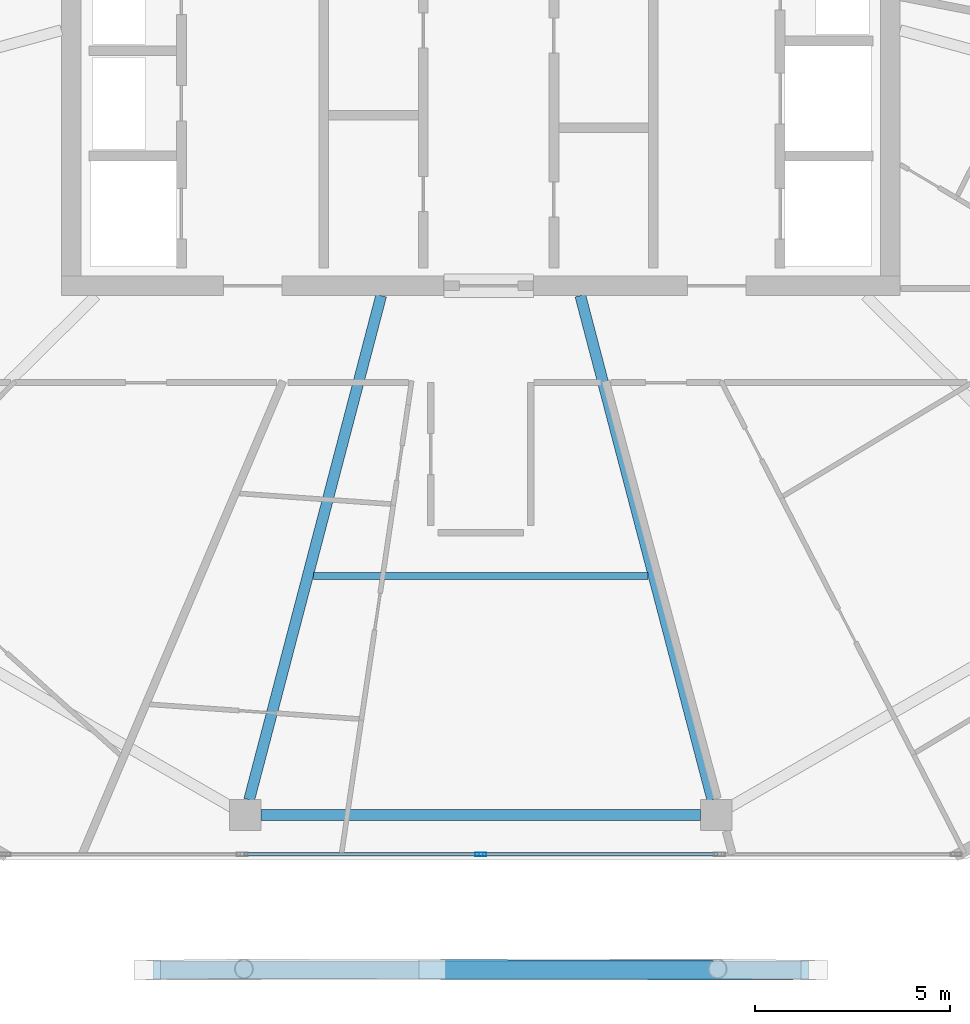
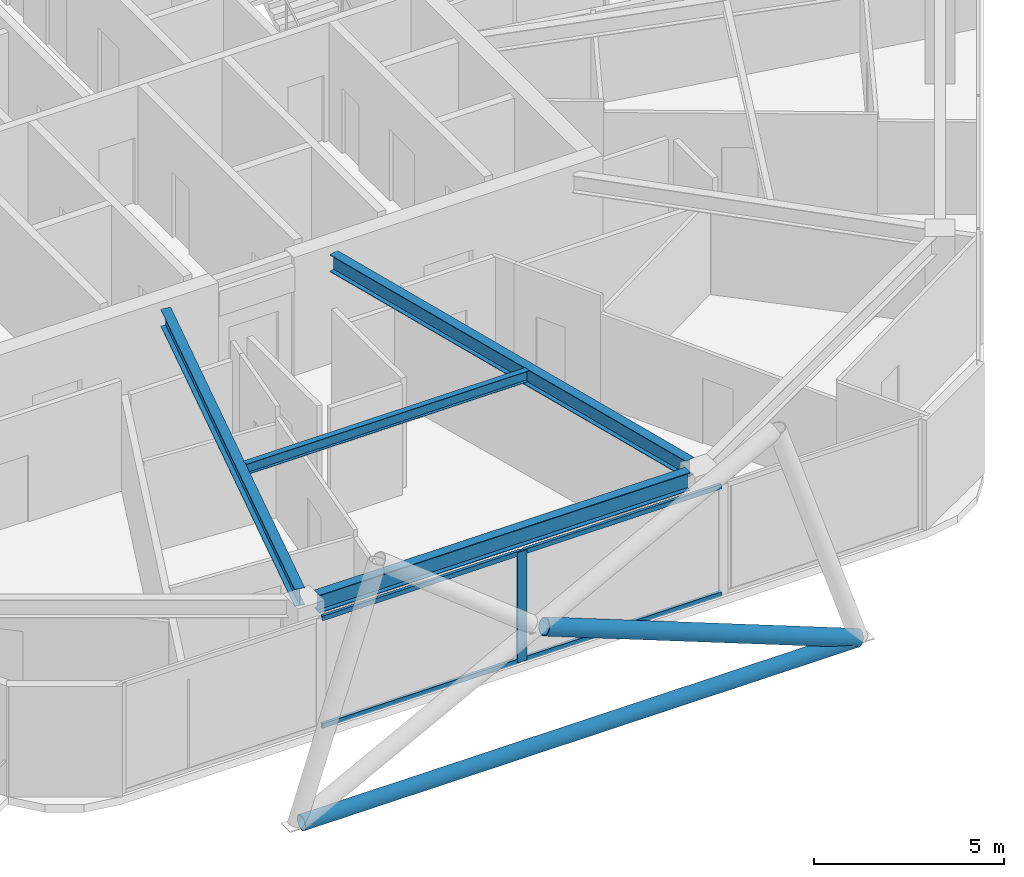
# One storey, part 4 of 23: 7 members, 4 beams, 1 element without a shape of its own.
"""IFC4 building model written with IfcOpenShell, lengths in metres."""

from ifc_helpers import new_model, si_unit, direction, frame, origin, origin_2d, place, context, subcontext, project, spatial, hollow_rectangle, hollow_circle, i_section, extrude, material, material_profile, profile_set, type_object, element, aggregate, save


model = new_model("IFC4")

# Units and contexts
model_context = context("Model", 3, precision=1e-05, world=origin(), true_north=direction((0.0, 1.0)))
body_context = subcontext(model_context, "Body", "Model", "MODEL_VIEW")
ifc_project = project(units=[si_unit("LENGTHUNIT", "METRE"), si_unit("AREAUNIT", "SQUARE_METRE"), si_unit("VOLUMEUNIT", "CUBIC_METRE"), si_unit("PLANEANGLEUNIT", "RADIAN"), si_unit("MASSUNIT", "GRAM", prefix="KILO")], contexts=[model_context])

# Site, building, storey
site_placement = place(None, origin())
site = spatial("IfcSite", under=ifc_project, at=site_placement, CompositionType="ELEMENT")
building_placement = place(site_placement, origin())
building = spatial("IfcBuilding", under=site, at=building_placement, Name="Zuhravey Tower", CompositionType="ELEMENT")
storey_placement = place(building_placement, frame((0.0, 0.0, 331.0)))
storey = spatial("IfcBuildingStorey", under=building, at=storey_placement, Name="L84", CompositionType="ELEMENT", Elevation=331.0)

# Curtain wall, members
ifc_material_1 = material(Name="Thermally broken anodised aluminium", Category="aluminium")
curtain_wall_type = type_object("IfcCurtainWallType", Name="Zone 3-4 High-Rise Curtain Wall CW4", PredefinedType="NOTDEFINED", material=ifc_material_1)
curtain_wall_placement = place(storey_placement, origin())
curtain_wall = element("IfcCurtainWall", 1, at=curtain_wall_placement, inside=storey, type_object=curtain_wall_type, Name="L84 CW4 CW-L84-F5-1", PredefinedType="NOTDEFINED")
ifc_material_2 = material(Name="Anodised aluminium", Category="aluminium")
ifc_material_profile_1 = material_profile(ifc_material_2, hollow_rectangle(XDim=0.090087890625, YDim=0.284912109375, WallThickness=0.0048828125, at=origin_2d()), Name="ALU-RHS-90x285x5")
ifc_profile_set_1 = profile_set([ifc_material_profile_1], Name="Anodised aluminium")
member_type_1 = type_object("IfcMemberType", Name="Curtain-Wall Mullion 90x180", PredefinedType="MULLION", material=ifc_profile_set_1)
member_1_placement = place(storey_placement, frame((36.0, 7.92578125, 0.0), z_axis=(0.0, 0.0, 1.0), x_axis=(0.0, -1.0, 0.0)))
member_1 = element("IfcMember", 2, at=member_1_placement, type_object=member_type_1, Name="CW4 mullion 3", PredefinedType="MULLION", context=body_context, shape_type="SweptSolid", body=[
    extrude(hollow_rectangle(XDim=0.090087890625, YDim=0.284912109375, WallThickness=0.0048828125, at=origin_2d()), origin(), (0.0, 0.0, 1.0), 3.550048828125),
])
ifc_material_profile_2 = material_profile(ifc_material_2, hollow_rectangle(XDim=0.090087890625, YDim=0.14990234375, WallThickness=0.0048828125, at=origin_2d()), Name="ALU-RHS-90x150x5")
ifc_profile_set_2 = profile_set([ifc_material_profile_2], Name="Anodised aluminium")
member_type_2 = type_object("IfcMemberType", Name="Curtain-Wall Transom 90x150", PredefinedType="USERDEFINED", material=ifc_profile_set_2)
member_2_placement = place(storey_placement, frame((42.07470703125, 7.92578125, 0.044921875), z_axis=(-1.0, 0.0, 0.0), x_axis=(0.0, -1.0, 0.0)))
member_2 = element("IfcMember", 3, at=member_2_placement, type_object=member_type_2, Name="CW4 transom 2.1", ObjectType="TRANSOM", PredefinedType="USERDEFINED", context=body_context, shape_type="SweptSolid", body=[
    extrude(hollow_rectangle(XDim=0.090087890625, YDim=0.14990234375, WallThickness=0.0048828125, at=origin_2d()), origin(), (0.0, 0.0, 1.0), 6.02978515625),
])
member_3_placement = place(storey_placement, frame((42.07470703125, 7.92578125, 3.5048828125), z_axis=(-1.0, 0.0, 0.0), x_axis=(0.0, -1.0, 0.0)))
member_3 = element("IfcMember", 4, at=member_3_placement, type_object=member_type_2, Name="CW4 transom 2.2", ObjectType="TRANSOM", PredefinedType="USERDEFINED", context=body_context, shape_type="SweptSolid", body=[
    extrude(hollow_rectangle(XDim=0.090087890625, YDim=0.14990234375, WallThickness=0.0048828125, at=origin_2d()), origin(), (0.0, 0.0, 1.0), 6.02978515625),
])
member_4_placement = place(storey_placement, frame((35.955078125, 7.92578125, 0.044921875), z_axis=(-1.0, 0.0, 0.0), x_axis=(0.0, -1.0, 0.0)))
member_4 = element("IfcMember", 5, at=member_4_placement, type_object=member_type_2, Name="CW4 transom 3.1", ObjectType="TRANSOM", PredefinedType="USERDEFINED", context=body_context, shape_type="SweptSolid", body=[
    extrude(hollow_rectangle(XDim=0.090087890625, YDim=0.14990234375, WallThickness=0.0048828125, at=origin_2d()), origin(), (0.0, 0.0, 1.0), 6.02978515625),
])
member_5_placement = place(storey_placement, frame((35.955078125, 7.92578125, 3.5048828125), z_axis=(-1.0, 0.0, 0.0), x_axis=(0.0, -1.0, 0.0)))
member_5 = element("IfcMember", 6, at=member_5_placement, type_object=member_type_2, Name="CW4 transom 3.2", ObjectType="TRANSOM", PredefinedType="USERDEFINED", context=body_context, shape_type="SweptSolid", body=[
    extrude(hollow_rectangle(XDim=0.090087890625, YDim=0.14990234375, WallThickness=0.0048828125, at=origin_2d()), origin(), (0.0, 0.0, 1.0), 6.02978515625),
])
aggregate(curtain_wall, [member_1, member_2, member_3, member_4, member_5])

# Members
ifc_material_3 = material(Name="Steel SM355", Category="steel")
ifc_material_profile_3 = material_profile(ifc_material_3, hollow_circle(Radius=0.228515625, WallThickness=0.02197265625, at=origin_2d()), Name="CHS-457.2x22")
ifc_profile_set_3 = profile_set([ifc_material_profile_3], Name="Steel SM355")
member_type_3 = type_object("IfcMemberType", Name="Exoskeleton Ring Tie CHS457x22", PredefinedType="CHORD", material=ifc_profile_set_3)
member_6_placement = place(storey_placement, frame((27.590576171875, 4.955810546875, -0.464111328125), z_axis=(1.0, 0.0, 0.0), x_axis=(0.0, 1.0, 0.0)))
element("IfcMember", 7, at=member_6_placement, inside=storey, type_object=member_type_3, Name="L84 Exoskeleton Face 5 Tie EXR1", PredefinedType="CHORD", context=body_context, shape_type="SweptSolid", body=[
    extrude(hollow_circle(Radius=0.228515625, WallThickness=0.02197265625, at=origin_2d()), origin(), (0.0, 0.0, 1.0), 16.81884765625),
])
ifc_material_profile_4 = material_profile(ifc_material_3, hollow_circle(Radius=0.25390625, WallThickness=0.02490234375, at=origin_2d()), Name="CHS-508.0x25")
ifc_profile_set_4 = profile_set([ifc_material_profile_4], Name="Steel SM355")
member_type_4 = type_object("IfcMemberType", Name="Exoskeleton Zone 4 Diagrid CHS508x25", PredefinedType="BRACE", material=ifc_profile_set_4)
member_7_placement = place(storey_placement, frame((44.51708984375, 4.9560546875, -0.451416015625), z_axis=(-0.932241069387, 0.001408940599, 0.361835050037), x_axis=(-0.001511346191, -0.999998857916, 0.0)))
element("IfcMember", 8, at=member_7_placement, inside=storey, type_object=member_type_4, Name="L84 Face 5 Split Diagrid Brace 3A", PredefinedType="BRACE", context=body_context, shape_type="SweptSolid", body=[
    extrude(hollow_circle(Radius=0.25390625, WallThickness=0.02490234375, at=origin_2d()), origin(), (0.0, 0.0, 1.0), 10.223388671875),
])

# Beams
ifc_material_profile_5 = material_profile(ifc_material_3, i_section(OverallWidth=0.280029296875, OverallDepth=0.580078125, WebThickness=0.011962890625, FlangeThickness=0.01904296875, at=origin_2d()), Name="H-580x280x12x19")
ifc_profile_set_5 = profile_set([ifc_material_profile_5], Name="Steel SM355")
beam_type_1 = type_object("IfcBeamType", Name="Perimeter Ring Beam H580x280", PredefinedType="BEAM", material=ifc_profile_set_5)
beam_1_placement = place(storey_placement, frame((30.3642578125, 8.935791015625, 3.260009765625), z_axis=(1.0, 0.0, 0.0), x_axis=(0.0, 1.0, 0.0)))
element("IfcBeam", 9, at=beam_1_placement, inside=storey, type_object=beam_type_1, Name="L84 PB4 BM-L84-PB-09", PredefinedType="BEAM", context=body_context, shape_type="SweptSolid", body=[
    extrude(i_section(OverallWidth=0.280029296875, OverallDepth=0.580078125, WebThickness=0.011962890625, FlangeThickness=0.01904296875, at=origin_2d()), origin(), (0.0, 0.0, 1.0), 11.271484375),
])
ifc_material_profile_6 = material_profile(ifc_material_3, i_section(OverallWidth=0.280029296875, OverallDepth=0.550048828125, WebThickness=0.010986328125, FlangeThickness=0.01806640625, at=origin_2d()), Name="H-550x280x11x18")
ifc_profile_set_6 = profile_set([ifc_material_profile_6], Name="Steel SM355")
beam_type_2 = type_object("IfcBeamType", Name="Radial Primary Girder H550x280", PredefinedType="BEAM", material=ifc_profile_set_6)
for number, where, z_axis, x_axis, name in (
    (10, (33.446533203125, 22.2470703125, 3.27490234375), (-0.253281197106, -0.967392699576, 0.0), (0.967392699576, -0.253281197106, 0.0), "L84 RG4 BM-L84-RAD-09"),
    (11, (38.553466796875, 22.2470703125, 3.27490234375), (0.253281197106, -0.967392699576, 0.0), (0.967392699576, 0.253281197106, 0.0), "L84 RG4 BM-L84-RAD-10"),
):
    element("IfcBeam", number, at=place(storey_placement, frame(where, z_axis=z_axis, x_axis=x_axis)), inside=storey, type_object=beam_type_2, Name=name, PredefinedType="BEAM", context=body_context, shape_type="SweptSolid", body=[
        extrude(i_section(OverallWidth=0.280029296875, OverallDepth=0.550048828125, WebThickness=0.010986328125, FlangeThickness=0.01806640625, at=origin_2d()), origin(), (0.0, 0.0, 1.0), 13.35693359375),
    ])
ifc_material_profile_7 = material_profile(ifc_material_3, i_section(OverallWidth=0.175048828125, OverallDepth=0.35009765625, WebThickness=0.007080078125, FlangeThickness=0.010986328125, at=origin_2d()), Name="H-350x175x7x11")
ifc_profile_set_7 = profile_set([ifc_material_profile_7], Name="Steel SM355")
beam_type_3 = type_object("IfcBeamType", Name="Secondary Floor Joist H350x175", PredefinedType="JOIST", material=ifc_profile_set_7)
beam_2_placement = place(storey_placement, frame((31.70849609375, 15.05908203125, 3.375), z_axis=(1.0, 0.0, 0.0), x_axis=(0.0, 1.0, 0.0)))
element("IfcBeam", 12, at=beam_2_placement, inside=storey, type_object=beam_type_3, Name="L84 SJ3 BM-L84-SJ-09-1", PredefinedType="JOIST", context=body_context, shape_type="SweptSolid", body=[
    extrude(i_section(OverallWidth=0.175048828125, OverallDepth=0.35009765625, WebThickness=0.007080078125, FlangeThickness=0.010986328125, at=origin_2d()), origin(), (0.0, 0.0, 1.0), 8.5830078125),
])

save(model, "model.ifc")
